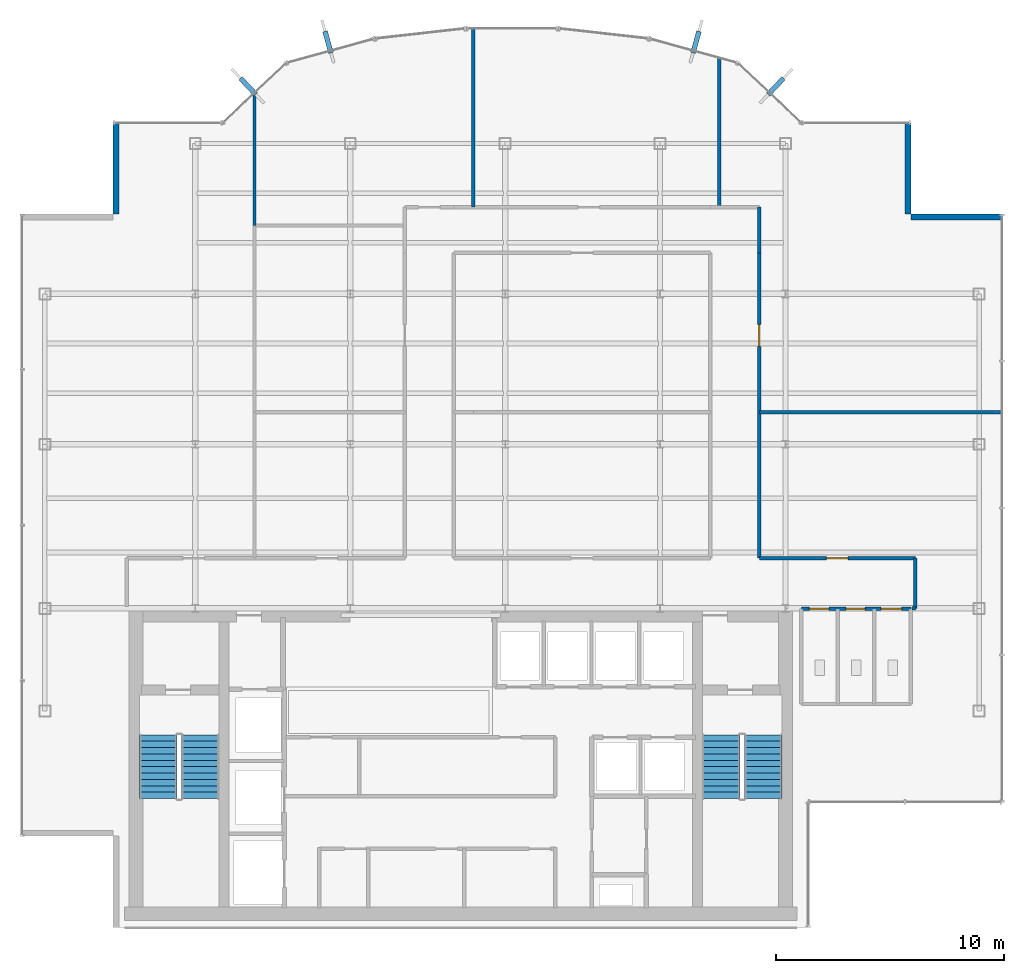
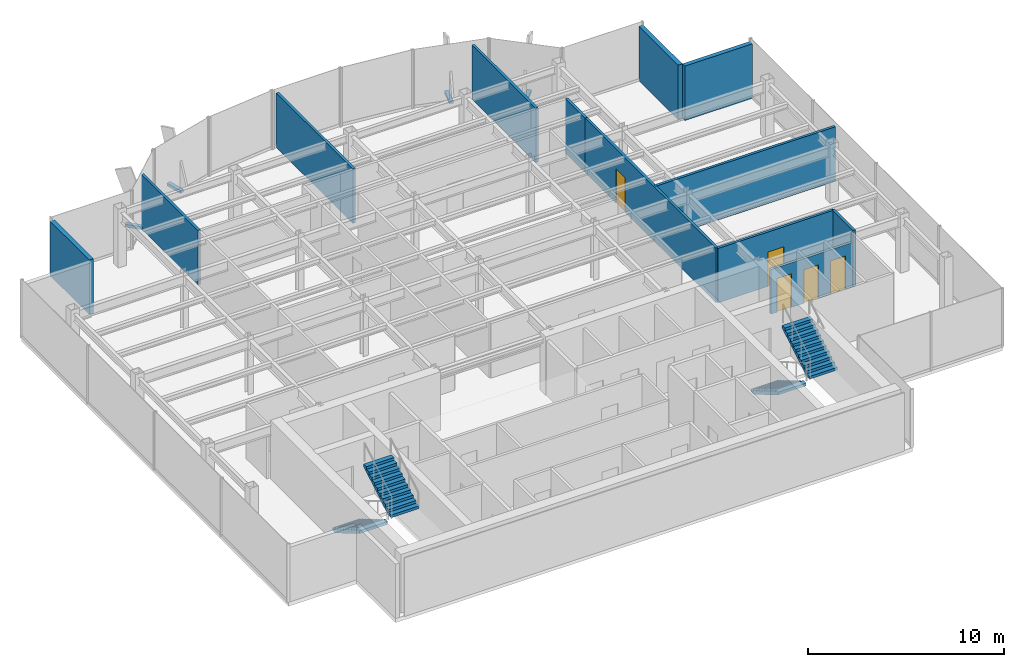
# One storey, part 19 of 22: 13 walls, 5 doors, 4 discrete accessories, 4 stair flights, 5 openings, 2 elements without a shape of their own.
"""IFC4 building model written with IfcOpenShell, lengths in metres."""

from ifc_helpers import new_model, si_unit, derived_unit, direction, frame, frame_2d, origin, origin_2d, place, context, subcontext, project, spatial, polyline, rectangle, outline, extrude, source, transform, mapped, material, layer, layer_set, type_object, element, fill, aggregate, save


model = new_model("IFC4")

# Units and contexts
model_context = context("Model", 3, precision=1e-05, world=origin(), true_north=direction((0.0, 1.0)))
body_context = subcontext(model_context, "Body", "Model", "MODEL_VIEW")
ifc_project = project(units=[si_unit("LENGTHUNIT", "METRE"), si_unit("AREAUNIT", "SQUARE_METRE"), si_unit("VOLUMEUNIT", "CUBIC_METRE"), si_unit("PLANEANGLEUNIT", "RADIAN"), si_unit("MASSUNIT", "GRAM", prefix="KILO"), derived_unit("THERMALTRANSMITTANCEUNIT", [(si_unit("POWERUNIT", "WATT"), 1), (si_unit("LENGTHUNIT", "METRE"), -2), (si_unit("THERMODYNAMICTEMPERATUREUNIT", "KELVIN"), -1)])], contexts=[model_context])

# Site, building, storey
site_placement = place(None, origin())
site = spatial("IfcSite", under=ifc_project, at=site_placement, CompositionType="ELEMENT")
building_placement = place(site_placement, origin())
building = spatial("IfcBuilding", under=site, at=building_placement, Name="Skarnbrae Concourse Arena and Tower", CompositionType="ELEMENT")
storey_placement = place(building_placement, frame((0.0, 0.0, 269.75)))
storey = spatial("IfcBuildingStorey", under=building, at=storey_placement, Name="L70", CompositionType="ELEMENT", Elevation=269.75)

# Walls
ifc_material_1 = material(Name="Precast concrete 40 MPa (C40/50)", Category="concrete")
ifc_layer_1 = layer(ifc_material_1, 0.25)
ifc_layer_set_1 = layer_set([ifc_layer_1], Name="Precast concrete 40 MPa (C40/50)")
wall_type_1 = type_object("IfcWallType", Name="WALL-EXT-SPANDREL-250", PredefinedType="STANDARD", material=ifc_layer_set_1)
shared_shape_1 = source(origin(), body_context, "Body", "SweptSolid", [
    extrude(rectangle(XDim=4.0, YDim=0.25, at=frame_2d((2.0, 0.0))), origin(), (0.0, 0.0, 1.0), 3.39990234375),
])
for number, where, z_axis, x_axis, name in (
    (1, (43.0, 31.175048828125, 0.0), (0.0, 0.0, 1.0), (-1.0, 0.0, 0.0), "L70 Notched corner insulated return wall 05"),
    (2, (38.875, 31.300048828125, 0.0), (0.0, 0.0, 1.0), (0.0, 1.0, 0.0), "L70 Notched corner insulated return wall 06"),
    (3, (4.125, 35.300048828125, 0.0), (0.0, 0.0, 1.0), (0.0, -1.0, 0.0), "L70 Notched corner insulated return wall 16"),
):
    element("IfcWall", number, at=place(storey_placement, frame(where, z_axis=z_axis, x_axis=x_axis)), inside=storey, type_object=wall_type_1, Name=name, PredefinedType="STANDARD", context=body_context, shape_type="MappedRepresentation", body=[
        mapped(shared_shape_1, transform((0.0, 0.0, 0.0))),
    ])

# Wall, opening, door
ifc_material_2 = material(Name="Gypsum board on cold-formed steel studs", Category="steel")
ifc_layer_2 = layer(ifc_material_2, 0.14990234375)
ifc_layer_set_2 = layer_set([ifc_layer_2], Name="Gypsum board on cold-formed steel studs")
wall_type_2 = type_object("IfcWallType", Name="WALL-PART-150-1HR", PredefinedType="PARTITIONING", material=ifc_layer_set_2)
shared_shape_2 = source(origin(), body_context, "Body", "SweptSolid", [
    extrude(rectangle(XDim=13.400146484375, YDim=0.14990234375, at=frame_2d((6.7001953125, 0.0))), origin(), (0.0, 0.0, 1.0), 3.39990234375),
])
wall_1_placement = place(storey_placement, frame((32.35009765625, 29.60009765625, 0.0), z_axis=(0.0, 0.0, 1.0), x_axis=(0.0, -1.0, 0.0)))
wall_1 = element("IfcWall", 4, at=wall_1_placement, inside=storey, type_object=wall_type_2, Name="L70 Interior partition wall W-L70-COR-09", PredefinedType="PARTITIONING", context=body_context, shape_type="MappedRepresentation", body=[
    mapped(shared_shape_2, transform((0.0, 0.0, 0.0))),
])
opening_1_placement = place(wall_1_placement, frame((3.155029296875, 0.0, 0.0)))
opening_1 = element("IfcOpeningElement", 5, at=opening_1_placement, cuts=wall_1, Name="Opening DT-04", PredefinedType="OPENING", context=body_context, shape_type="SweptSolid", body=[
    extrude(rectangle(XDim=0.949951171875, YDim=2.14990234375, at=frame_2d((0.47509765625, 1.074951171875))), frame((0.0, 0.0849609375, 0.0), z_axis=(0.0, -1.0, 0.0), x_axis=(1.0, 0.0, 0.0)), (0.0, 0.0, 1.0), 0.169921875),
])
ifc_material_3 = material(Name="Steel CSA G40.21 350W", Category="steel")
door_type_1 = type_object("IfcDoorType", Name="DOOR-INT-950-45M", OperationType="NOTDEFINED", PredefinedType="DOOR", material=ifc_material_3)
shared_shape_3 = source(origin(), body_context, "Body", "SweptSolid", [
    extrude(rectangle(XDim=0.949951171875, YDim=2.14990234375, at=frame_2d((0.47509765625, 1.074951171875))), frame((0.0, 0.02490234375, 0.0), z_axis=(0.0, -1.0, 0.0), x_axis=(1.0, 0.0, 0.0)), (0.0, 0.0, 1.0), 0.050048828125),
])
door_1_placement = place(opening_1_placement, origin())
door_1 = element("IfcDoor", 6, at=door_1_placement, inside=storey, type_object=door_type_1, Name="D-2136 L70 Suite Door 08", OperationType="SINGLE_SWING_LEFT", OverallHeight=2.14990234375, OverallWidth=0.949951171875, PredefinedType="DOOR", context=body_context, shape_type="MappedRepresentation", body=[
    mapped(shared_shape_3, transform((0.0, 0.0, 0.0))),
])
fill(opening_1, door_1)

# Walls
shared_shape_4 = source(origin(), body_context, "Body", "SweptSolid", [
    extrude(rectangle(XDim=2.199951171875, YDim=0.14990234375, at=frame_2d((1.10009765625, 0.0))), origin(), (0.0, 0.0, 1.0), 3.39990234375),
])
wall_2_placement = place(storey_placement, frame((39.199951171875, 16.199951171875, 0.0), z_axis=(0.0, 0.0, 1.0), x_axis=(0.0, -1.0, 0.0)))
element("IfcWall", 7, at=wall_2_placement, inside=storey, type_object=wall_type_2, Name="L70 Interior partition wall W-L70-COR-11", PredefinedType="PARTITIONING", context=body_context, shape_type="MappedRepresentation", body=[
    mapped(shared_shape_4, transform((0.0, 0.0, 0.0))),
])
shared_shape_5 = source(origin(), body_context, "Body", "SweptSolid", [
    extrude(rectangle(XDim=0.14990234375, YDim=0.14990234375, at=frame_2d((0.074951171875, 0.0))), origin(), (0.0, 0.0, 1.0), 3.39990234375),
])
wall_3_placement = place(storey_placement, frame((39.199951171875, 14.0, 0.0), z_axis=(0.0, 0.0, 1.0), x_axis=(-1.0, 0.0, 0.0)))
element("IfcWall", 8, at=wall_3_placement, inside=storey, type_object=wall_type_2, Name="L70 Interior partition wall W-L70-COR-12", PredefinedType="PARTITIONING", context=body_context, shape_type="MappedRepresentation", body=[
    mapped(shared_shape_5, transform((0.0, 0.0, 0.0))),
])

# Wall, openings, doors
ifc_layer_3 = layer(ifc_material_2, 0.14990234375)
ifc_layer_set_3 = layer_set([ifc_layer_3], Name="Gypsum board on cold-formed steel studs")
wall_type_3 = type_object("IfcWallType", Name="WALL-PART-150", PredefinedType="PARTITIONING", material=ifc_layer_set_3)
shared_shape_6 = source(origin(), body_context, "Body", "SweptSolid", [
    extrude(rectangle(XDim=4.800048828125, YDim=0.14990234375, at=frame_2d((2.39990234375, 0.0))), origin(), (0.0, 0.0, 1.0), 2.787109375),
])
wall_4_placement = place(storey_placement, frame((34.199951171875, 13.97998046875, 0.0), z_axis=(0.0, 0.0, 1.0), x_axis=(1.0, 0.0, 0.0)))
wall_4 = element("IfcWall", 9, at=wall_4_placement, inside=storey, type_object=wall_type_3, Name="L70 Interior partition wall W-L70-WC-N", PredefinedType="PARTITIONING", context=body_context, shape_type="MappedRepresentation", body=[
    mapped(shared_shape_6, transform((0.0, 0.0, 0.0))),
])
opening_2_placement = place(wall_4_placement, frame((0.35009765625, 0.0, 0.0)))
opening_2 = element("IfcOpeningElement", 10, at=opening_2_placement, cuts=wall_4, Name="Opening DT-06", PredefinedType="OPENING", context=body_context, shape_type="SweptSolid", body=[
    extrude(rectangle(XDim=0.85009765625, YDim=2.10009765625, at=frame_2d((0.425048828125, 1.050048828125))), frame((0.0, 0.0849609375, 0.0), z_axis=(0.0, -1.0, 0.0), x_axis=(1.0, 0.0, 0.0)), (0.0, 0.0, 1.0), 0.169921875),
])
opening_3_placement = place(wall_4_placement, frame((1.949951171875, 0.0, 0.0)))
opening_3 = element("IfcOpeningElement", 11, at=opening_3_placement, cuts=wall_4, Name="Opening DT-06", PredefinedType="OPENING", context=body_context, shape_type="SweptSolid", body=[
    extrude(rectangle(XDim=0.85009765625, YDim=2.10009765625, at=frame_2d((0.425048828125, 1.050048828125))), frame((0.0, 0.0849609375, 0.0), z_axis=(0.0, -1.0, 0.0), x_axis=(1.0, 0.0, 0.0)), (0.0, 0.0, 1.0), 0.169921875),
])
opening_4_placement = place(wall_4_placement, frame((3.5, 0.0, 0.0)))
opening_4 = element("IfcOpeningElement", 12, at=opening_4_placement, cuts=wall_4, Name="Opening DT-05", PredefinedType="OPENING", context=body_context, shape_type="SweptSolid", body=[
    extrude(rectangle(XDim=0.89990234375, YDim=2.10009765625, at=frame_2d((0.449951171875, 1.050048828125))), frame((0.0, 0.0849609375, 0.0), z_axis=(0.0, -1.0, 0.0), x_axis=(1.0, 0.0, 0.0)), (0.0, 0.0, 1.0), 0.169921875),
])
ifc_material_4 = material(Name="Architectural oak veneer timber leaf", Category="wood")
door_type_2 = type_object("IfcDoorType", Name="DOOR-INT-850", OperationType="NOTDEFINED", PredefinedType="DOOR", material=ifc_material_4)
shared_shape_7 = source(origin(), body_context, "Body", "SweptSolid", [
    extrude(rectangle(XDim=0.85009765625, YDim=2.10009765625, at=frame_2d((0.425048828125, 1.050048828125))), frame((0.0, 0.02490234375, 0.0), z_axis=(0.0, -1.0, 0.0), x_axis=(1.0, 0.0, 0.0)), (0.0, 0.0, 1.0), 0.050048828125),
])
door_2_placement = place(opening_2_placement, frame((0.85009765625, 0.0, 0.0), z_axis=(0.0, 0.0, 1.0), x_axis=(-1.0, 0.0, 0.0)))
door_2 = element("IfcDoor", 13, at=door_2_placement, inside=storey, type_object=door_type_2, Name="D-2126 Male Washroom Door", OperationType="SINGLE_SWING_LEFT", OverallHeight=2.10009765625, OverallWidth=0.85009765625, PredefinedType="DOOR", context=body_context, shape_type="MappedRepresentation", body=[
    mapped(shared_shape_7, transform((0.0, 0.0, 0.0))),
])
fill(opening_2, door_2)
door_3_placement = place(opening_3_placement, frame((0.85009765625, 0.0, 0.0), z_axis=(0.0, 0.0, 1.0), x_axis=(-1.0, 0.0, 0.0)))
door_3 = element("IfcDoor", 14, at=door_3_placement, inside=storey, type_object=door_type_2, Name="D-2127 Female Washroom Door", OperationType="SINGLE_SWING_RIGHT", OverallHeight=2.10009765625, OverallWidth=0.85009765625, PredefinedType="DOOR", context=body_context, shape_type="MappedRepresentation", body=[
    mapped(shared_shape_7, transform((0.0, 0.0, 0.0))),
])
fill(opening_3, door_3)
door_type_3 = type_object("IfcDoorType", Name="DOOR-INT-900", OperationType="NOTDEFINED", PredefinedType="DOOR", material=ifc_material_4)
shared_shape_8 = source(origin(), body_context, "Body", "SweptSolid", [
    extrude(rectangle(XDim=0.89990234375, YDim=2.10009765625, at=frame_2d((0.449951171875, 1.050048828125))), frame((0.0, 0.02490234375, 0.0), z_axis=(0.0, -1.0, 0.0), x_axis=(1.0, 0.0, 0.0)), (0.0, 0.0, 1.0), 0.050048828125),
])
door_4_placement = place(opening_4_placement, frame((0.89990234375, 0.0, 0.0), z_axis=(0.0, 0.0, 1.0), x_axis=(-1.0, 0.0, 0.0)))
door_4 = element("IfcDoor", 15, at=door_4_placement, inside=storey, type_object=door_type_3, Name="D-2128 Accessible WC Door", OperationType="SINGLE_SWING_LEFT", OverallHeight=2.10009765625, OverallWidth=0.89990234375, PredefinedType="DOOR", context=body_context, shape_type="MappedRepresentation", body=[
    mapped(shared_shape_8, transform((0.0, 0.0, 0.0))),
])
fill(opening_4, door_4)

# Wall
shared_shape_9 = source(origin(), body_context, "Body", "SweptSolid", [
    extrude(rectangle(XDim=2.0, YDim=0.14990234375, at=frame_2d((1.0, 0.0))), origin(), (0.0, 0.0, 1.0), 3.39990234375),
])
wall_5_placement = place(storey_placement, frame((32.35009765625, 31.60009765625, 0.0), z_axis=(0.0, 0.0, 1.0), x_axis=(0.0, -1.0, 0.0)))
element("IfcWall", 16, at=wall_5_placement, inside=storey, type_object=wall_type_2, Name="L70 Interior partition wall W-L70-COR-08", PredefinedType="PARTITIONING", context=body_context, shape_type="MappedRepresentation", body=[
    mapped(shared_shape_9, transform((0.0, 0.0, 0.0))),
])

# Wall, opening, door
shared_shape_10 = source(origin(), body_context, "Body", "SweptSolid", [
    extrude(rectangle(XDim=6.849853515625, YDim=0.14990234375, at=frame_2d((3.4248046875, 0.0))), origin(), (0.0, 0.0, 1.0), 3.39990234375),
])
wall_6_placement = place(storey_placement, frame((32.35009765625, 16.199951171875, 0.0), z_axis=(0.0, 0.0, 1.0), x_axis=(1.0, 0.0, 0.0)))
wall_6 = element("IfcWall", 17, at=wall_6_placement, inside=storey, type_object=wall_type_2, Name="L70 Interior partition wall W-L70-COR-10", PredefinedType="PARTITIONING", context=body_context, shape_type="MappedRepresentation", body=[
    mapped(shared_shape_10, transform((0.0, 0.0, 0.0))),
])
opening_5_placement = place(wall_6_placement, frame((2.949951171875, 0.0, 0.0)))
opening_5 = element("IfcOpeningElement", 18, at=opening_5_placement, cuts=wall_6, Name="Opening DT-04", PredefinedType="OPENING", context=body_context, shape_type="SweptSolid", body=[
    extrude(rectangle(XDim=0.949951171875, YDim=2.14990234375, at=frame_2d((0.47509765625, 1.074951171875))), frame((0.0, 0.0849609375, 0.0), z_axis=(0.0, -1.0, 0.0), x_axis=(1.0, 0.0, 0.0)), (0.0, 0.0, 1.0), 0.169921875),
])
door_5_placement = place(opening_5_placement, origin())
door_5 = element("IfcDoor", 19, at=door_5_placement, inside=storey, type_object=door_type_1, Name="D-2137 L70 Suite Door 09", OperationType="SINGLE_SWING_RIGHT", OverallHeight=2.14990234375, OverallWidth=0.949951171875, PredefinedType="DOOR", context=body_context, shape_type="MappedRepresentation", body=[
    mapped(shared_shape_3, transform((0.0, 0.0, 0.0))),
])
fill(opening_5, door_5)

# Walls
shared_shape_11 = source(origin(), body_context, "Body", "SweptSolid", [
    extrude(rectangle(XDim=5.790283203125, YDim=0.14990234375, at=frame_2d((2.89501953125, 0.0))), origin(), (0.0, 0.0, 1.0), 3.39990234375),
])
wall_7_placement = place(storey_placement, frame((10.199951171875, 36.59033203125, 0.0), z_axis=(0.0, 0.0, 1.0), x_axis=(0.0, -1.0, 0.0)))
element("IfcWall", 20, at=wall_7_placement, inside=storey, type_object=wall_type_3, Name="L70 Interior partition wall W-L70-DEM-21", PredefinedType="PARTITIONING", context=body_context, shape_type="MappedRepresentation", body=[
    mapped(shared_shape_11, transform((0.0, 0.0, 0.0))),
])
shared_shape_12 = source(origin(), body_context, "Body", "SweptSolid", [
    extrude(rectangle(XDim=7.82666015625, YDim=0.14990234375, at=frame_2d((3.913330078125, 0.0))), origin(), (0.0, 0.0, 1.0), 3.39990234375),
])
wall_8_placement = place(storey_placement, frame((19.800048828125, 39.4267578125, 0.0), z_axis=(0.0, 0.0, 1.0), x_axis=(0.0, -1.0, 0.0)))
element("IfcWall", 21, at=wall_8_placement, inside=storey, type_object=wall_type_3, Name="L70 Interior partition wall W-L70-DEM-24", PredefinedType="PARTITIONING", context=body_context, shape_type="MappedRepresentation", body=[
    mapped(shared_shape_12, transform((0.0, 0.0, 0.0))),
])
shared_shape_13 = source(origin(), body_context, "Body", "SweptSolid", [
    extrude(rectangle(XDim=6.529052734375, YDim=0.14990234375, at=frame_2d((3.2646484375, 0.0))), origin(), (0.0, 0.0, 1.0), 3.39990234375),
])
wall_9_placement = place(storey_placement, frame((30.60009765625, 38.129150390625, 0.0), z_axis=(0.0, 0.0, 1.0), x_axis=(0.0, -1.0, 0.0)))
element("IfcWall", 22, at=wall_9_placement, inside=storey, type_object=wall_type_3, Name="L70 Interior partition wall W-L70-DEM-25", PredefinedType="PARTITIONING", context=body_context, shape_type="MappedRepresentation", body=[
    mapped(shared_shape_13, transform((0.0, 0.0, 0.0))),
])
shared_shape_14 = source(origin(), body_context, "Body", "SweptSolid", [
    extrude(rectangle(XDim=10.6298828125, YDim=0.14990234375, at=frame_2d((5.31494140625, 0.0))), origin(), (0.0, 0.0, 1.0), 3.39990234375),
])
wall_10_placement = place(storey_placement, frame((42.97998046875, 22.60009765625, 0.0), z_axis=(0.0, 0.0, 1.0), x_axis=(-1.0, 0.0, 0.0)))
element("IfcWall", 23, at=wall_10_placement, inside=storey, type_object=wall_type_3, Name="L70 Interior partition wall W-L70-DEM-26", PredefinedType="PARTITIONING", context=body_context, shape_type="MappedRepresentation", body=[
    mapped(shared_shape_14, transform((0.0, 0.0, 0.0))),
])

# Stair, stair flights
ifc_material_5 = material(Name="Concrete 40 MPa (C40/50)", Category="concrete")
stair_type = type_object("IfcStairType", Name="STAIR-DOGLEG-1650", PredefinedType="HALF_TURN_STAIR", material=ifc_material_5)
stair_1_placement = place(storey_placement, origin())
stair_1 = element("IfcStair", 24, at=stair_1_placement, inside=storey, type_object=stair_type, Name="L70 Protected Exit Stair ST-1", PredefinedType="HALF_TURN_STAIR")
stair_flight_type = type_object("IfcStairFlightType", Name="FLIGHT-STRAIGHT-1650", PredefinedType="STRAIGHT", material=ifc_material_5)
shared_shape_15 = source(origin(), body_context, "Body", "SweptSolid", [
    extrude(outline(polyline([(0.0, 0.0), (0.0, 0.166015625), (0.280029296875, 0.166015625), (0.280029296875, 0.331787109375), (0.56005859375, 0.331787109375), (0.56005859375, 0.497802734375), (0.840087890625, 0.497802734375), (0.840087890625, 0.66357421875), (1.1201171875, 0.66357421875), (1.1201171875, 0.82958984375), (1.39990234375, 0.82958984375), (1.39990234375, 0.995361328125), (1.679931640625, 0.995361328125), (1.679931640625, 1.161376953125), (1.9599609375, 1.161376953125), (1.9599609375, 1.327392578125), (2.239990234375, 1.327392578125), (2.239990234375, 1.4931640625), (2.52001953125, 1.4931640625), (2.52001953125, 1.6591796875), (2.800048828125, 1.6591796875), (2.800048828125, 1.824951171875), (2.800048828125, 1.48486328125), (0.2939453125, 0.0), (0.0, 0.0)])), frame((0.0, 0.824951171875, 0.0), z_axis=(0.0, -1.0, 0.0), x_axis=(1.0, 0.0, 0.0)), (0.0, 0.0, 1.0), 1.64990234375),
])
stair_flight_1_placement = place(storey_placement, frame((5.97509765625, 8.449951171875, 0.0), z_axis=(0.0, 0.0, 1.0), x_axis=(0.0, -1.0, 0.0)))
stair_flight_1 = element("IfcStairFlight", 25, at=stair_flight_1_placement, type_object=stair_flight_type, Name="ST-1 flight 1", NumberOfRisers=11, NumberOfTreads=10, PredefinedType="STRAIGHT", RiserHeight=0.165909091, TreadLength=0.28, context=body_context, shape_type="MappedRepresentation", body=[
    mapped(shared_shape_15, transform((0.0, 0.0, 0.0))),
])
stair_flight_2_placement = place(storey_placement, frame((7.824951171875, 5.64990234375, 1.824951171875), z_axis=(0.0, 0.0, 1.0), x_axis=(0.0, 1.0, 0.0)))
stair_flight_2 = element("IfcStairFlight", 26, at=stair_flight_2_placement, type_object=stair_flight_type, Name="ST-1 flight 2", NumberOfRisers=11, NumberOfTreads=10, PredefinedType="STRAIGHT", RiserHeight=0.165909091, TreadLength=0.28, context=body_context, shape_type="MappedRepresentation", body=[
    mapped(shared_shape_15, transform((0.0, 0.0, 0.0))),
])
aggregate(stair_1, [stair_flight_1, stair_flight_2])

stair_2_placement = place(storey_placement, origin())
stair_2 = element("IfcStair", 27, at=stair_2_placement, inside=storey, type_object=stair_type, Name="L70 Protected Exit Stair ST-2", PredefinedType="HALF_TURN_STAIR")
stair_flight_3_placement = place(storey_placement, frame((30.675048828125, 8.449951171875, 0.0), z_axis=(0.0, 0.0, 1.0), x_axis=(0.0, -1.0, 0.0)))
stair_flight_3 = element("IfcStairFlight", 28, at=stair_flight_3_placement, type_object=stair_flight_type, Name="ST-2 flight 1", NumberOfRisers=11, NumberOfTreads=10, PredefinedType="STRAIGHT", RiserHeight=0.165909091, TreadLength=0.28, context=body_context, shape_type="MappedRepresentation", body=[
    mapped(shared_shape_15, transform((0.0, 0.0, 0.0))),
])
stair_flight_4_placement = place(storey_placement, frame((32.52490234375, 5.64990234375, 1.824951171875), z_axis=(0.0, 0.0, 1.0), x_axis=(0.0, 1.0, 0.0)))
stair_flight_4 = element("IfcStairFlight", 29, at=stair_flight_4_placement, type_object=stair_flight_type, Name="ST-2 flight 2", NumberOfRisers=11, NumberOfTreads=10, PredefinedType="STRAIGHT", RiserHeight=0.165909091, TreadLength=0.28, context=body_context, shape_type="MappedRepresentation", body=[
    mapped(shared_shape_15, transform((0.0, 0.0, 0.0))),
])
aggregate(stair_2, [stair_flight_3, stair_flight_4])

# Discrete accessories
ifc_material_6 = material(Name="Bronze anodised aluminium 6063-T6", Category="aluminium")
discrete_accessory_type = type_object("IfcDiscreteAccessoryType", Name="ACC-FIN-BRACKET", PredefinedType="BRACKET", material=ifc_material_6)
shared_shape_16 = source(origin(), body_context, "Body", "SweptSolid", [
    extrude(rectangle(XDim=0.219970703125, YDim=0.97998046875, at=origin_2d()), origin(), (0.0, 0.0, 1.0), 0.179931640625),
])
for number, where, z_axis, x_axis, name in (
    (30, (33.0791015625, 36.904541015625, -0.02978515625), (0.0, 0.0, 1.0), (0.728131751529, -0.685437198009, 0.0), "L70 Bronze fin foot support bracket 08"),
    (31, (29.573974609375, 38.847412109375, -0.02978515625), (0.0, 0.0, 1.0), (0.964058316208, -0.265690728011, 0.0), "L70 Bronze fin foot support bracket 09"),
    (32, (13.426025390625, 38.847412109375, -0.02978515625), (0.0, 0.0, 1.0), (0.964058316208, 0.265690728011, 0.0), "L70 Bronze fin foot support bracket 13"),
    (33, (9.9208984375, 36.904541015625, -0.02978515625), (0.0, 0.0, 1.0), (0.728131751529, 0.685437198009, 0.0), "L70 Bronze fin foot support bracket 14"),
):
    element("IfcDiscreteAccessory", number, at=place(storey_placement, frame(where, z_axis=z_axis, x_axis=x_axis)), inside=storey, type_object=discrete_accessory_type, Name=name, PredefinedType="BRACKET", context=body_context, shape_type="MappedRepresentation", body=[
        mapped(shared_shape_16, transform((0.0, 0.0, 0.0))),
    ])

save(model, "model.ifc")
